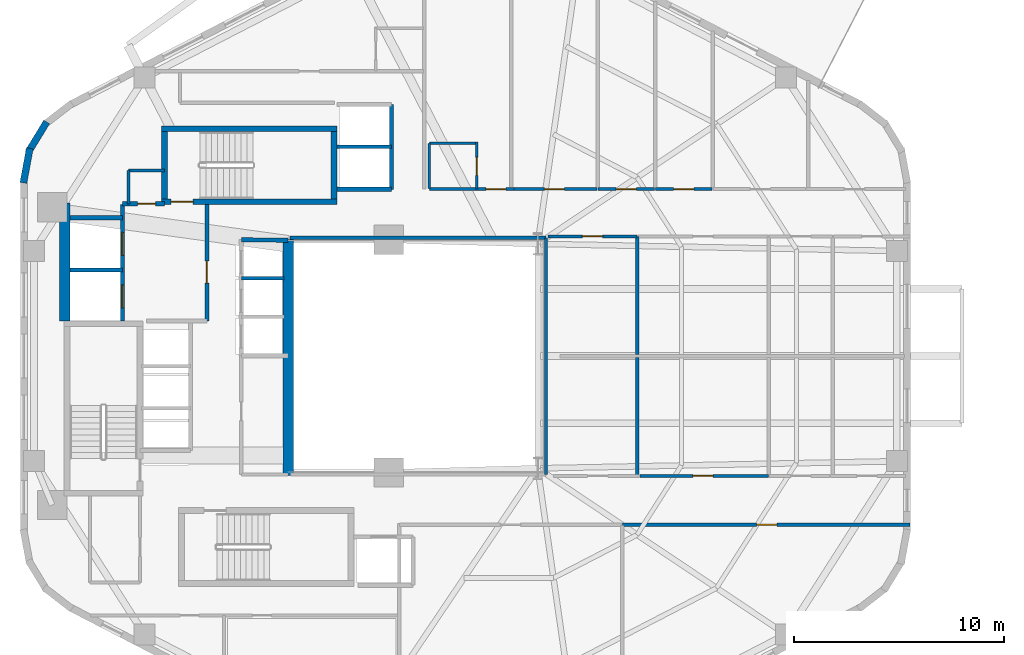
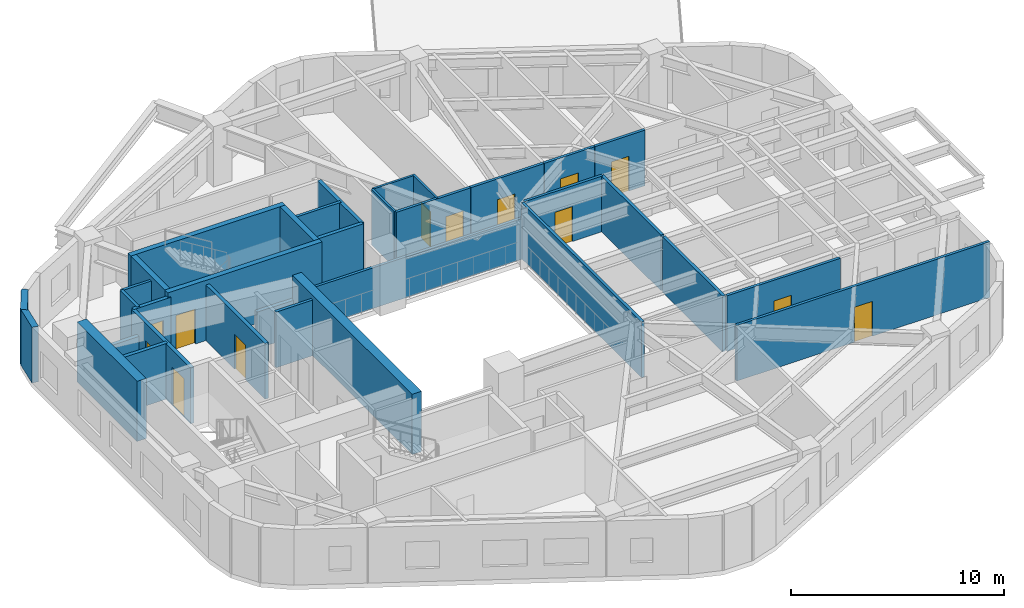
# One storey, part 4 of 8: 34 walls, 13 doors, 13 openings.
"""IFC4 building model written with IfcOpenShell, lengths in metres."""

from ifc_helpers import new_model, si_unit, direction, frame, frame_2d, origin, place, context, subcontext, project, spatial, rectangle, extrude, material, layer, layer_set, type_object, element, fill, save


model = new_model("IFC4")

# Units and contexts
model_context = context("Model", 3, precision=1e-05, world=origin(), true_north=direction((0.0, 1.0)))
body_context = subcontext(model_context, "Body", "Model", "MODEL_VIEW")
ifc_project = project(units=[si_unit("LENGTHUNIT", "METRE"), si_unit("AREAUNIT", "SQUARE_METRE"), si_unit("VOLUMEUNIT", "CUBIC_METRE"), si_unit("PLANEANGLEUNIT", "RADIAN"), si_unit("MASSUNIT", "GRAM", prefix="KILO"), si_unit("THERMODYNAMICTEMPERATUREUNIT", "KELVIN"), si_unit("POWERUNIT", "WATT")], contexts=[model_context])

# Site, building, storey
site_placement = place(None, origin())
site = spatial("IfcSite", under=ifc_project, at=site_placement, CompositionType="ELEMENT")
building_placement = place(site_placement, origin())
building = spatial("IfcBuilding", under=site, at=building_placement, Name="Skarre Station Tower", CompositionType="ELEMENT")
storey_placement = place(building_placement, frame((0.0, 0.0, 122.25)))
storey = spatial("IfcBuildingStorey", under=building, at=storey_placement, Name="L32", CompositionType="ELEMENT", Elevation=122.25)

# Walls
ifc_material_1 = material(Name="Acoustic Steel-Stud Gypsum Partition", Category="steel")
ifc_layer_1 = layer(ifc_material_1, 0.14990234375, Name="Acoustic Steel-Stud Gypsum Partition")
ifc_layer_set_1 = layer_set([ifc_layer_1], Name="Acoustic Steel-Stud Gypsum Partition")
wall_type_1 = type_object("IfcWallType", Name="Fire-Rated Corridor Acoustic Partition 150", PredefinedType="PARTITIONING", material=ifc_layer_set_1)
wall_1_placement = place(storey_placement, frame((19.949951171875, 32.85009765625, 0.0), z_axis=(0.0, 0.0, 1.0), x_axis=(0.0, -1.0, 0.0)))
element("IfcWall", 1, at=wall_1_placement, inside=storey, type_object=wall_type_1, Name="L32 Interior Partition WL-PT-L32-CNW-W", PredefinedType="PARTITIONING", context=body_context, shape_type="SweptSolid", body=[
    extrude(rectangle(XDim=1.590087890625, YDim=0.14990234375, at=frame_2d((0.794921875, 0.0))), origin(), (0.0, 0.0, 1.0), 3.18994140625),
])
wall_2_placement = place(storey_placement, frame((21.659912109375, 32.85009765625, 0.0), z_axis=(0.0, 0.0, 1.0), x_axis=(-1.0, 0.0, 0.0)))
element("IfcWall", 2, at=wall_2_placement, inside=storey, type_object=wall_type_1, Name="L32 Interior Partition WL-PT-L32-CNW-N1", PredefinedType="PARTITIONING", context=body_context, shape_type="SweptSolid", body=[
    extrude(rectangle(XDim=1.7099609375, YDim=0.14990234375, at=frame_2d((0.85498046875, 0.0))), origin(), (0.0, 0.0, 1.0), 3.18994140625),
])
wall_3_placement = place(storey_placement, frame((39.840087890625, 29.639892578125, 0.0), z_axis=(0.0, 0.0, 1.0), x_axis=(-1.0, 0.0, 0.0)))
element("IfcWall", 3, at=wall_3_placement, inside=storey, type_object=wall_type_1, Name="L32 Interior Partition WL-PT-L32-ATRW-N", PredefinedType="PARTITIONING", context=body_context, shape_type="SweptSolid", body=[
    extrude(rectangle(XDim=12.2001953125, YDim=0.14990234375, at=frame_2d((6.10009765625, 0.0))), origin(), (0.0, 0.0, 1.0), 2.3310546875),
])
wall_4_placement = place(storey_placement, frame((39.840087890625, 18.360107421875, 0.0), z_axis=(0.0, 0.0, 1.0), x_axis=(0.0, 1.0, 0.0)))
element("IfcWall", 4, at=wall_4_placement, inside=storey, type_object=wall_type_1, Name="L32 Interior Partition WL-PT-L32-ATRW-E", PredefinedType="PARTITIONING", context=body_context, shape_type="SweptSolid", body=[
    extrude(rectangle(XDim=11.27978515625, YDim=0.14990234375, at=frame_2d((5.639892578125, 0.0))), origin(), (0.0, 0.0, 1.0), 3.18994140625),
])

# Wall, opening, door
wall_5_placement = place(storey_placement, frame((38.31103515625, 31.9599609375, 0.0), z_axis=(0.0, 0.0, 1.0), x_axis=(-1.0, 0.0, 0.0)))
wall_5 = element("IfcWall", 5, at=wall_5_placement, inside=storey, type_object=wall_type_1, Name="L32 Interior Partition WL-PT-L32-NW1-CW", PredefinedType="PARTITIONING", context=body_context, shape_type="SweptSolid", body=[
    extrude(rectangle(XDim=4.02099609375, YDim=0.14990234375, at=frame_2d((2.010498046875, 0.0))), origin(), (0.0, 0.0, 1.0), 3.18994140625),
])
opening_1_placement = place(wall_5_placement, frame((0.3740234375, 0.0, 0.0)))
opening_1 = element("IfcOpeningElement", 6, at=opening_1_placement, cuts=wall_5, Name="Opening DR-FD60", PredefinedType="OPENING", context=body_context, shape_type="SweptSolid", body=[
    extrude(rectangle(XDim=0.9599609375, YDim=2.0, at=frame_2d((0.47998046875, 1.0))), frame((0.0, 0.0849609375, 0.0), z_axis=(0.0, -1.0, 0.0), x_axis=(1.0, 0.0, 0.0)), (0.0, 0.0, 1.0), 0.169921875),
])
ifc_material_2 = material(Name="Nordic White-Oak Veneer Solid-Core Fire Leaf", Category="wood")
door_type_1 = type_object("IfcDoorType", Name="Corridor Suite Entry Fire Door FD60 960x2150", OperationType="SINGLE_SWING_LEFT", PredefinedType="DOOR", material=ifc_material_2)
door_1_placement = place(opening_1_placement, origin())
door_1 = element("IfcDoor", 7, at=door_1_placement, inside=storey, type_object=door_type_1, Name="L32 NW1 Entry Door", OperationType="SINGLE_SWING_LEFT", OverallHeight=2.0, OverallWidth=0.9599609375, PredefinedType="DOOR", context=body_context, shape_type="SweptSolid", body=[
    extrude(rectangle(XDim=0.9599609375, YDim=2.0, at=frame_2d((0.47998046875, 1.0))), frame((0.0, 0.02490234375, 0.0), z_axis=(0.0, -1.0, 0.0), x_axis=(1.0, 0.0, 0.0)), (0.0, 0.0, 1.0), 0.050048828125),
])
fill(opening_1, door_1)

wall_6_placement = place(storey_placement, frame((42.285888671875, 31.9599609375, 0.0), z_axis=(0.0, 0.0, 1.0), x_axis=(-1.0, 0.0, 0.0)))
wall_6 = element("IfcWall", 8, at=wall_6_placement, inside=storey, type_object=wall_type_1, Name="L32 Interior Partition WL-PT-L32-NW2-CW", PredefinedType="PARTITIONING", context=body_context, shape_type="SweptSolid", body=[
    extrude(rectangle(XDim=3.96484375, YDim=0.14990234375, at=frame_2d((1.982421875, 0.0))), origin(), (0.0, 0.0, 1.0), 3.18994140625),
])
opening_2_placement = place(wall_6_placement, frame((1.56005859375, 0.0, 0.0)))
opening_2 = element("IfcOpeningElement", 9, at=opening_2_placement, cuts=wall_6, Name="Opening DR-FD60", PredefinedType="OPENING", context=body_context, shape_type="SweptSolid", body=[
    extrude(rectangle(XDim=0.9599609375, YDim=2.0, at=frame_2d((0.47998046875, 1.0))), frame((0.0, 0.0849609375, 0.0), z_axis=(0.0, -1.0, 0.0), x_axis=(1.0, 0.0, 0.0)), (0.0, 0.0, 1.0), 0.169921875),
])
door_2_placement = place(opening_2_placement, origin())
door_2 = element("IfcDoor", 10, at=door_2_placement, inside=storey, type_object=door_type_1, Name="L32 NW2 Entry Door", OperationType="SINGLE_SWING_LEFT", OverallHeight=2.0, OverallWidth=0.9599609375, PredefinedType="DOOR", context=body_context, shape_type="SweptSolid", body=[
    extrude(rectangle(XDim=0.9599609375, YDim=2.0, at=frame_2d((0.47998046875, 1.0))), frame((0.0, 0.02490234375, 0.0), z_axis=(0.0, -1.0, 0.0), x_axis=(1.0, 0.0, 0.0)), (0.0, 0.0, 1.0), 0.050048828125),
])
fill(opening_2, door_2)

wall_7_placement = place(storey_placement, frame((45.02587890625, 31.9599609375, 0.0), z_axis=(0.0, 0.0, 1.0), x_axis=(-1.0, 0.0, 0.0)))
wall_7 = element("IfcWall", 11, at=wall_7_placement, inside=storey, type_object=wall_type_1, Name="L32 Interior Partition WL-PT-L32-NW3-CW", PredefinedType="PARTITIONING", context=body_context, shape_type="SweptSolid", body=[
    extrude(rectangle(XDim=2.707763671875, YDim=0.14990234375, at=frame_2d((1.35400390625, 0.0))), origin(), (0.0, 0.0, 1.0), 3.18994140625),
])
opening_3_placement = place(wall_7_placement, frame((0.8740234375, 0.0, 0.0)))
opening_3 = element("IfcOpeningElement", 12, at=opening_3_placement, cuts=wall_7, Name="Opening DR-FD60", PredefinedType="OPENING", context=body_context, shape_type="SweptSolid", body=[
    extrude(rectangle(XDim=0.9599609375, YDim=2.0, at=frame_2d((0.47998046875, 1.0))), frame((0.0, 0.0849609375, 0.0), z_axis=(0.0, -1.0, 0.0), x_axis=(1.0, 0.0, 0.0)), (0.0, 0.0, 1.0), 0.169921875),
])
door_3_placement = place(opening_3_placement, origin())
door_3 = element("IfcDoor", 13, at=door_3_placement, inside=storey, type_object=door_type_1, Name="L32 NW3 Entry Door", OperationType="SINGLE_SWING_LEFT", OverallHeight=2.0, OverallWidth=0.9599609375, PredefinedType="DOOR", context=body_context, shape_type="SweptSolid", body=[
    extrude(rectangle(XDim=0.9599609375, YDim=2.0, at=frame_2d((0.47998046875, 1.0))), frame((0.0, 0.02490234375, 0.0), z_axis=(0.0, -1.0, 0.0), x_axis=(1.0, 0.0, 0.0)), (0.0, 0.0, 1.0), 0.050048828125),
])
fill(opening_3, door_3)

wall_8_placement = place(storey_placement, frame((47.76708984375, 31.9599609375, 0.0), z_axis=(0.0, 0.0, 1.0), x_axis=(-1.0, 0.0, 0.0)))
wall_8 = element("IfcWall", 14, at=wall_8_placement, inside=storey, type_object=wall_type_1, Name="L32 Interior Partition WL-PT-L32-NW4-CW", PredefinedType="PARTITIONING", context=body_context, shape_type="SweptSolid", body=[
    extrude(rectangle(XDim=2.708984375, YDim=0.14990234375, at=frame_2d((1.3544921875, 0.0))), origin(), (0.0, 0.0, 1.0), 3.18994140625),
])
opening_4_placement = place(wall_8_placement, frame((0.875, 0.0, 0.0)))
opening_4 = element("IfcOpeningElement", 15, at=opening_4_placement, cuts=wall_8, Name="Opening DR-FD60", PredefinedType="OPENING", context=body_context, shape_type="SweptSolid", body=[
    extrude(rectangle(XDim=0.9599609375, YDim=2.0, at=frame_2d((0.47998046875, 1.0))), frame((0.0, 0.0849609375, 0.0), z_axis=(0.0, -1.0, 0.0), x_axis=(1.0, 0.0, 0.0)), (0.0, 0.0, 1.0), 0.169921875),
])
door_4_placement = place(opening_4_placement, origin())
door_4 = element("IfcDoor", 16, at=door_4_placement, inside=storey, type_object=door_type_1, Name="L32 NW4 Entry Door", OperationType="SINGLE_SWING_LEFT", OverallHeight=2.0, OverallWidth=0.9599609375, PredefinedType="DOOR", context=body_context, shape_type="SweptSolid", body=[
    extrude(rectangle(XDim=0.9599609375, YDim=2.0, at=frame_2d((0.47998046875, 1.0))), frame((0.0, 0.02490234375, 0.0), z_axis=(0.0, -1.0, 0.0), x_axis=(1.0, 0.0, 0.0)), (0.0, 0.0, 1.0), 0.050048828125),
])
fill(opening_4, door_4)

wall_9_placement = place(storey_placement, frame((39.949951171875, 29.7099609375, 0.0), z_axis=(0.0, 0.0, 1.0), x_axis=(1.0, 0.0, 0.0)))
wall_9 = element("IfcWall", 17, at=wall_9_placement, inside=storey, type_object=wall_type_1, Name="L32 Interior Partition WL-PT-L32-EWN1-CW", PredefinedType="PARTITIONING", context=body_context, shape_type="SweptSolid", body=[
    extrude(rectangle(XDim=4.22705078125, YDim=0.14990234375, at=frame_2d((2.113525390625, 0.0))), origin(), (0.0, 0.0, 1.0), 3.18994140625),
])
opening_5_placement = place(wall_9_placement, frame((1.633056640625, 0.0, 0.0)))
opening_5 = element("IfcOpeningElement", 18, at=opening_5_placement, cuts=wall_9, Name="Opening DR-FD60", PredefinedType="OPENING", context=body_context, shape_type="SweptSolid", body=[
    extrude(rectangle(XDim=0.9599609375, YDim=2.0, at=frame_2d((0.47998046875, 1.0))), frame((0.0, 0.0849609375, 0.0), z_axis=(0.0, -1.0, 0.0), x_axis=(1.0, 0.0, 0.0)), (0.0, 0.0, 1.0), 0.169921875),
])
door_5_placement = place(opening_5_placement, origin())
door_5 = element("IfcDoor", 19, at=door_5_placement, inside=storey, type_object=door_type_1, Name="L32 EWN1 Entry Door", OperationType="SINGLE_SWING_LEFT", OverallHeight=2.0, OverallWidth=0.9599609375, PredefinedType="DOOR", context=body_context, shape_type="SweptSolid", body=[
    extrude(rectangle(XDim=0.9599609375, YDim=2.0, at=frame_2d((0.47998046875, 1.0))), frame((0.0, 0.02490234375, 0.0), z_axis=(0.0, -1.0, 0.0), x_axis=(1.0, 0.0, 0.0)), (0.0, 0.0, 1.0), 0.050048828125),
])
fill(opening_5, door_5)

wall_10_placement = place(storey_placement, frame((50.455078125, 18.2900390625, 0.0), z_axis=(0.0, 0.0, 1.0), x_axis=(-1.0, 0.0, 0.0)))
wall_10 = element("IfcWall", 20, at=wall_10_placement, inside=storey, type_object=wall_type_1, Name="L32 Interior Partition WL-PT-L32-EWS2-CW", PredefinedType="PARTITIONING", context=body_context, shape_type="SweptSolid", body=[
    extrude(rectangle(XDim=6.133056640625, YDim=0.14990234375, at=frame_2d((3.06640625, 0.0))), origin(), (0.0, 0.0, 1.0), 3.18994140625),
])
opening_6_placement = place(wall_10_placement, frame((2.64404296875, 0.0, 0.0)))
opening_6 = element("IfcOpeningElement", 21, at=opening_6_placement, cuts=wall_10, Name="Opening DR-FD60", PredefinedType="OPENING", context=body_context, shape_type="SweptSolid", body=[
    extrude(rectangle(XDim=0.9599609375, YDim=2.0, at=frame_2d((0.47998046875, 1.0))), frame((0.0, 0.0849609375, 0.0), z_axis=(0.0, -1.0, 0.0), x_axis=(1.0, 0.0, 0.0)), (0.0, 0.0, 1.0), 0.169921875),
])
door_6_placement = place(opening_6_placement, origin())
door_6 = element("IfcDoor", 22, at=door_6_placement, inside=storey, type_object=door_type_1, Name="L32 EWS2 Entry Door", OperationType="SINGLE_SWING_LEFT", OverallHeight=2.0, OverallWidth=0.9599609375, PredefinedType="DOOR", context=body_context, shape_type="SweptSolid", body=[
    extrude(rectangle(XDim=0.9599609375, YDim=2.0, at=frame_2d((0.47998046875, 1.0))), frame((0.0, 0.02490234375, 0.0), z_axis=(0.0, -1.0, 0.0), x_axis=(1.0, 0.0, 0.0)), (0.0, 0.0, 1.0), 0.050048828125),
])
fill(opening_6, door_6)

wall_11_placement = place(storey_placement, frame((43.4970703125, 15.9599609375, 0.0), z_axis=(0.0, 0.0, 1.0), x_axis=(1.0, 0.0, 0.0)))
wall_11 = element("IfcWall", 23, at=wall_11_placement, inside=storey, type_object=wall_type_1, Name="L32 Interior Partition WL-PT-L32-SW2-CW", PredefinedType="PARTITIONING", context=body_context, shape_type="SweptSolid", body=[
    extrude(rectangle(XDim=13.7109375, YDim=0.14990234375, at=frame_2d((6.85546875, 0.0))), origin(), (0.0, 0.0, 1.0), 3.18994140625),
])
opening_7_placement = place(wall_11_placement, frame((6.388916015625, 0.0, 0.0)))
opening_7 = element("IfcOpeningElement", 24, at=opening_7_placement, cuts=wall_11, Name="Opening DR-FD60", PredefinedType="OPENING", context=body_context, shape_type="SweptSolid", body=[
    extrude(rectangle(XDim=0.9599609375, YDim=2.0, at=frame_2d((0.47998046875, 1.0))), frame((0.0, 0.0849609375, 0.0), z_axis=(0.0, -1.0, 0.0), x_axis=(1.0, 0.0, 0.0)), (0.0, 0.0, 1.0), 0.169921875),
])
door_7_placement = place(opening_7_placement, origin())
door_7 = element("IfcDoor", 25, at=door_7_placement, inside=storey, type_object=door_type_1, Name="L32 SW2 Entry Door", OperationType="SINGLE_SWING_LEFT", OverallHeight=2.0, OverallWidth=0.9599609375, PredefinedType="DOOR", context=body_context, shape_type="SweptSolid", body=[
    extrude(rectangle(XDim=0.9599609375, YDim=2.0, at=frame_2d((0.47998046875, 1.0))), frame((0.0, 0.02490234375, 0.0), z_axis=(0.0, -1.0, 0.0), x_axis=(1.0, 0.0, 0.0)), (0.0, 0.0, 1.0), 0.050048828125),
])
fill(opening_7, door_7)

ifc_material_3 = material(Name="Insulated Timber-Stud Gypsum Partition", Category="wood")
ifc_layer_2 = layer(ifc_material_3, 0.1201171875, Name="Insulated Timber-Stud Gypsum Partition")
ifc_layer_set_2 = layer_set([ifc_layer_2], Name="Insulated Timber-Stud Gypsum Partition")
wall_type_2 = type_object("IfcWallType", Name="Internal Suite Acoustic Partition 120", PredefinedType="PARTITIONING", material=ifc_layer_set_2)
wall_12_placement = place(storey_placement, frame((36.550048828125, 31.9599609375, 0.0), z_axis=(0.0, 0.0, 1.0), x_axis=(0.0, 1.0, 0.0)))
wall_12 = element("IfcWall", 26, at=wall_12_placement, inside=storey, type_object=wall_type_2, Name="L32 Interior Partition WL-PT-L32-NW1-EW2", PredefinedType="PARTITIONING", context=body_context, shape_type="SweptSolid", body=[
    extrude(rectangle(XDim=2.239990234375, YDim=0.1201171875, at=frame_2d((1.1201171875, 0.0))), origin(), (0.0, 0.0, 1.0), 3.18994140625),
])
opening_8_placement = place(wall_12_placement, frame((0.64990234375, 0.0, 0.0)))
opening_8 = element("IfcOpeningElement", 27, at=opening_8_placement, cuts=wall_12, Name="Opening DR-INT86", PredefinedType="OPENING", context=body_context, shape_type="SweptSolid", body=[
    extrude(rectangle(XDim=0.860107421875, YDim=2.0, at=frame_2d((0.43017578125, 1.0))), frame((0.0, 0.070068359375, 0.0), z_axis=(0.0, -1.0, 0.0), x_axis=(1.0, 0.0, 0.0)), (0.0, 0.0, 1.0), 0.14013671875),
])
ifc_material_4 = material(Name="Nordic Birch Acoustic Solid-Core Timber Leaf", Category="wood")
door_type_2 = type_object("IfcDoorType", Name="Internal En-Suite & Bedroom Door 860x2100", OperationType="SINGLE_SWING_LEFT", PredefinedType="DOOR", material=ifc_material_4)
door_8_placement = place(opening_8_placement, origin())
door_8 = element("IfcDoor", 28, at=door_8_placement, inside=storey, type_object=door_type_2, Name="L32 NW1 En-suite Door", OperationType="SINGLE_SWING_LEFT", OverallHeight=2.0, OverallWidth=0.860107421875, PredefinedType="DOOR", context=body_context, shape_type="SweptSolid", body=[
    extrude(rectangle(XDim=0.860107421875, YDim=2.0, at=frame_2d((0.43017578125, 1.0))), frame((0.0, 0.02490234375, 0.0), z_axis=(0.0, -1.0, 0.0), x_axis=(1.0, 0.0, 0.0)), (0.0, 0.0, 1.0), 0.050048828125),
])
fill(opening_8, door_8)

# Walls
wall_13_placement = place(storey_placement, frame((36.610107421875, 34.139892578125, 0.0), z_axis=(0.0, 0.0, 1.0), x_axis=(-1.0, 0.0, 0.0)))
element("IfcWall", 29, at=wall_13_placement, inside=storey, type_object=wall_type_2, Name="L32 Interior Partition WL-PT-L32-NW1-EW3", PredefinedType="PARTITIONING", context=body_context, shape_type="SweptSolid", body=[
    extrude(rectangle(XDim=2.320068359375, YDim=0.1201171875, at=frame_2d((1.16015625, 0.0))), origin(), (0.0, 0.0, 1.0), 3.18994140625),
])
wall_14_placement = place(storey_placement, frame((34.2900390625, 34.139892578125, 0.0), z_axis=(0.0, 0.0, 1.0), x_axis=(0.0, -1.0, 0.0)))
element("IfcWall", 30, at=wall_14_placement, inside=storey, type_object=wall_type_2, Name="L32 Interior Partition WL-PT-L32-NW1-EW4", PredefinedType="PARTITIONING", context=body_context, shape_type="SweptSolid", body=[
    extrude(rectangle(XDim=2.139892578125, YDim=0.1201171875, at=frame_2d((1.06982421875, 0.0))), origin(), (0.0, 0.0, 1.0), 3.18994140625),
])
ifc_material_5 = material(Name="Precast concrete C45/55", Category="concrete")
ifc_layer_3 = layer(ifc_material_5, 0.330078125, Name="Precast concrete C45/55")
ifc_layer_set_3 = layer_set([ifc_layer_3], Name="Precast concrete C45/55")
wall_type_3 = type_object("IfcWallType", Name="Nordic Rounded Corner Precast Wall 330", PredefinedType="STANDARD", material=ifc_layer_set_3)
wall_15_placement = place(storey_placement, frame((14.931884765625, 32.258056640625, 0.0), z_axis=(0.0, 0.0, 1.0), x_axis=(0.181984991895, 0.983301308209, 0.0)))
element("IfcWall", 31, at=wall_15_placement, inside=storey, type_object=wall_type_3, Name="L32 Rounded Corner Precast Wall F2-1", PredefinedType="STANDARD", context=body_context, shape_type="SweptSolid", body=[
    extrude(rectangle(XDim=1.677001953125, YDim=0.330078125, at=frame_2d((0.83837890625, 0.0))), origin(), (0.0, 0.0, 1.0), 3.18994140625),
])
wall_16_placement = place(storey_placement, frame((15.169921875, 33.73193359375, 0.0), z_axis=(0.0, 0.0, 1.0), x_axis=(0.520519429557, 0.853849824883, 0.0)))
element("IfcWall", 32, at=wall_16_placement, inside=storey, type_object=wall_type_3, Name="L32 Rounded Corner Precast Wall F2-2", PredefinedType="STANDARD", context=body_context, shape_type="SweptSolid", body=[
    extrude(rectangle(XDim=1.67724609375, YDim=0.330078125, at=frame_2d((0.838623046875, 0.0))), origin(), (0.0, 0.0, 1.0), 3.18994140625),
])

# Wall, opening, door
ifc_material_6 = material(Name="Concrete C50/60", Category="concrete")
ifc_layer_4 = layer(ifc_material_6, 0.280029296875, Name="Concrete C50/60")
ifc_layer_set_4 = layer_set([ifc_layer_4], Name="Concrete C50/60")
wall_type_4 = type_object("IfcWallType", Name="RC Core Shear Wall 280", PredefinedType="SHEAR", material=ifc_layer_set_4)
wall_17_placement = place(storey_placement, frame((21.52001953125, 31.360107421875, 0.0), z_axis=(0.0, 0.0, 1.0), x_axis=(1.0, 0.0, 0.0)))
wall_17 = element("IfcWall", 33, at=wall_17_placement, inside=storey, type_object=wall_type_4, Name="L32 Stair ST-3 South Shear Wall", PredefinedType="SHEAR", context=body_context, shape_type="SweptSolid", body=[
    extrude(rectangle(XDim=8.35986328125, YDim=0.280029296875, at=frame_2d((4.179931640625, 0.0))), origin(), (0.0, 0.0, 1.0), 3.449951171875),
])
opening_9_placement = place(wall_17_placement, frame((0.449951171875, 0.0, 0.0)))
opening_9 = element("IfcOpeningElement", 34, at=opening_9_placement, cuts=wall_17, Name="Opening DR-FD90", PredefinedType="OPENING", context=body_context, shape_type="SweptSolid", body=[
    extrude(rectangle(XDim=1.050048828125, YDim=2.0, at=frame_2d((0.52490234375, 1.0))), frame((0.0, 0.14990234375, 0.0), z_axis=(0.0, -1.0, 0.0), x_axis=(1.0, 0.0, 0.0)), (0.0, 0.0, 1.0), 0.300048828125),
])
ifc_material_7 = material(Name="Fire-Rated Insulated Steel Frame & Timber Core Leaf", Category="steel")
door_type_3 = type_object("IfcDoorType", Name="Stair & FSAE Lobby Fire Door FD90 1050x2150", OperationType="SINGLE_SWING_RIGHT", PredefinedType="DOOR", material=ifc_material_7)
door_9_placement = place(opening_9_placement, origin())
door_9 = element("IfcDoor", 35, at=door_9_placement, inside=storey, type_object=door_type_3, Name="L32 Stair ST-3 & FSAE Lobby Direct Exit Door", OperationType="SINGLE_SWING_LEFT", OverallHeight=2.0, OverallWidth=1.050048828125, PredefinedType="DOOR", context=body_context, shape_type="SweptSolid", body=[
    extrude(rectangle(XDim=1.050048828125, YDim=2.0, at=frame_2d((0.52490234375, 1.0))), frame((0.0, 0.02490234375, 0.0), z_axis=(0.0, -1.0, 0.0), x_axis=(1.0, 0.0, 0.0)), (0.0, 0.0, 1.0), 0.050048828125),
])
fill(opening_9, door_9)

# Walls
wall_18_placement = place(storey_placement, frame((29.8798828125, 34.840087890625, 0.0), z_axis=(0.0, 0.0, 1.0), x_axis=(-1.0, 0.0, 0.0)))
element("IfcWall", 36, at=wall_18_placement, inside=storey, type_object=wall_type_4, Name="L32 Stair ST-3 North Shear Wall", PredefinedType="SHEAR", context=body_context, shape_type="SweptSolid", body=[
    extrude(rectangle(XDim=8.35986328125, YDim=0.280029296875, at=frame_2d((4.179931640625, 0.0))), origin(), (0.0, 0.0, 1.0), 3.449951171875),
])
for number, where, z_axis, x_axis, name in (
    (37, (21.659912109375, 34.699951171875, 0.0), (0.0, 0.0, 1.0), (0.0, -1.0, 0.0), "L32 Stair ST-3 West Shear Wall"),
    (38, (29.739990234375, 31.5, 0.0), (0.0, 0.0, 1.0), (0.0, 1.0, 0.0), "L32 Stair ST-3 East Shear Wall"),
):
    element("IfcWall", number, at=place(storey_placement, frame(where, z_axis=z_axis, x_axis=x_axis)), inside=storey, type_object=wall_type_4, Name=name, PredefinedType="SHEAR", context=body_context, shape_type="SweptSolid", body=[
        extrude(rectangle(XDim=3.199951171875, YDim=0.280029296875, at=frame_2d((1.60009765625, 0.0))), origin(), (0.0, 0.0, 1.0), 3.449951171875),
    ])
ifc_material_8 = material(Name="Concrete C70/85", Category="concrete")
ifc_layer_5 = layer(ifc_material_8, 0.5, Name="Concrete C70/85")
ifc_layer_set_5 = layer_set([ifc_layer_5], Name="Concrete C70/85")
wall_type_5 = type_object("IfcWallType", Name="RC Core Shear Wall 500", PredefinedType="SHEAR", material=ifc_layer_set_5)
wall_19_placement = place(storey_placement, frame((16.89990234375, 25.679931640625, 0.0), z_axis=(0.0, 0.0, 1.0), x_axis=(0.0, 1.0, 0.0)))
element("IfcWall", 39, at=wall_19_placement, inside=storey, type_object=wall_type_5, Name="L32 Core West-North Shear Wall", PredefinedType="SHEAR", context=body_context, shape_type="SweptSolid", body=[
    extrude(rectangle(XDim=5.6201171875, YDim=0.5, at=frame_2d((2.81005859375, 0.0))), origin(), (0.0, 0.0, 1.0), 3.449951171875),
])
wall_20_placement = place(storey_placement, frame((27.550048828125, 29.550048828125, 0.0), z_axis=(0.0, 0.0, 1.0), x_axis=(0.0, -1.0, 0.0)))
element("IfcWall", 40, at=wall_20_placement, inside=storey, type_object=wall_type_5, Name="L32 Core East Atrium Shear Wall", PredefinedType="SHEAR", context=body_context, shape_type="SweptSolid", body=[
    extrude(rectangle(XDim=11.25, YDim=0.5, at=frame_2d((5.625, 0.0))), origin(), (0.0, 0.0, 1.0), 3.449951171875),
])

# Wall, openings, doors
ifc_material_9 = material(Name="Gypsum Concrete Shaft Assembly C30/37", Category="concrete")
ifc_layer_6 = layer(ifc_material_9, 0.199951171875, Name="Gypsum Concrete Shaft Assembly C30/37")
ifc_layer_set_6 = layer_set([ifc_layer_6], Name="Gypsum Concrete Shaft Assembly C30/37")
wall_type_6 = type_object("IfcWallType", Name="Shaft & Core Fire Partition 200", PredefinedType="PARTITIONING", material=ifc_layer_set_6)
wall_21_placement = place(storey_placement, frame((19.64990234375, 25.679931640625, 0.0), z_axis=(0.0, 0.0, 1.0), x_axis=(0.0, 1.0, 0.0)))
wall_21 = element("IfcWall", 41, at=wall_21_placement, inside=storey, type_object=wall_type_6, Name="L32 Interior Partition WL-PT-L32-FSAE-W", PredefinedType="PARTITIONING", context=body_context, shape_type="SweptSolid", body=[
    extrude(rectangle(XDim=5.5400390625, YDim=0.199951171875, at=frame_2d((2.77001953125, 0.0))), origin(), (0.0, 0.0, 1.0), 3.18994140625),
])
opening_10_placement = place(wall_21_placement, frame((0.6201171875, 0.0, 0.0)))
opening_10 = element("IfcOpeningElement", 42, at=opening_10_placement, cuts=wall_21, Name="Opening LD-FF1", PredefinedType="OPENING", context=body_context, shape_type="SweptSolid", body=[
    extrude(rectangle(XDim=1.10009765625, YDim=2.199951171875, at=frame_2d((0.550048828125, 1.10009765625))), frame((0.0, 0.10986328125, 0.0), z_axis=(0.0, -1.0, 0.0), x_axis=(1.0, 0.0, 0.0)), (0.0, 0.0, 1.0), 0.219970703125),
])
opening_11_placement = place(wall_21_placement, frame((3.1201171875, 0.0, 0.0)))
opening_11 = element("IfcOpeningElement", 43, at=opening_11_placement, cuts=wall_21, Name="Opening LD-FF2", PredefinedType="OPENING", context=body_context, shape_type="SweptSolid", body=[
    extrude(rectangle(XDim=1.10009765625, YDim=2.199951171875, at=frame_2d((0.550048828125, 1.10009765625))), frame((0.0, 0.10986328125, 0.0), z_axis=(0.0, -1.0, 0.0), x_axis=(1.0, 0.0, 0.0)), (0.0, 0.0, 1.0), 0.219970703125),
])
ifc_material_10 = material(Name="Fire-Rated Stainless Steel Grade 316L Sliding Leaves", Category="steel")
door_type_4 = type_object("IfcDoorType", Name="Fire Service Access Elevator Sliding Landing Door 1100x2200", OperationType="SLIDING_TO_LEFT", PredefinedType="DOOR", material=ifc_material_10)
door_10_placement = place(opening_10_placement, origin())
door_10 = element("IfcDoor", 44, at=door_10_placement, inside=storey, type_object=door_type_4, Name="L32 Firefighting Lift LF-FF1 Landing Door", OperationType="SLIDING_TO_LEFT", OverallHeight=2.199951171875, OverallWidth=1.10009765625, PredefinedType="DOOR", context=body_context, shape_type="SweptSolid", body=[
    extrude(rectangle(XDim=1.10009765625, YDim=2.199951171875, at=frame_2d((0.550048828125, 1.10009765625))), frame((0.0, 0.02490234375, 0.0), z_axis=(0.0, -1.0, 0.0), x_axis=(1.0, 0.0, 0.0)), (0.0, 0.0, 1.0), 0.050048828125),
])
fill(opening_10, door_10)
door_11_placement = place(opening_11_placement, origin())
door_11 = element("IfcDoor", 45, at=door_11_placement, inside=storey, type_object=door_type_4, Name="L32 Firefighting Lift LF-FF2 Landing Door", OperationType="SLIDING_TO_LEFT", OverallHeight=2.199951171875, OverallWidth=1.10009765625, PredefinedType="DOOR", context=body_context, shape_type="SweptSolid", body=[
    extrude(rectangle(XDim=1.10009765625, YDim=2.199951171875, at=frame_2d((0.550048828125, 1.10009765625))), frame((0.0, 0.02490234375, 0.0), z_axis=(0.0, -1.0, 0.0), x_axis=(1.0, 0.0, 0.0)), (0.0, 0.0, 1.0), 0.050048828125),
])
fill(opening_11, door_11)

# Wall, opening, door
wall_22_placement = place(storey_placement, frame((23.679931640625, 25.679931640625, 0.0), z_axis=(0.0, 0.0, 1.0), x_axis=(0.0, 1.0, 0.0)))
wall_22 = element("IfcWall", 46, at=wall_22_placement, inside=storey, type_object=wall_type_6, Name="L32 Interior Partition WL-PT-L32-FSAE-E", PredefinedType="PARTITIONING", context=body_context, shape_type="SweptSolid", body=[
    extrude(rectangle(XDim=5.5400390625, YDim=0.199951171875, at=frame_2d((2.77001953125, 0.0))), origin(), (0.0, 0.0, 1.0), 3.18994140625),
])
opening_12_placement = place(wall_22_placement, frame((1.800048828125, 0.0, 0.0)))
opening_12 = element("IfcOpeningElement", 47, at=opening_12_placement, cuts=wall_22, Name="Opening DR-FD90", PredefinedType="OPENING", context=body_context, shape_type="SweptSolid", body=[
    extrude(rectangle(XDim=1.050048828125, YDim=2.0, at=frame_2d((0.52490234375, 1.0))), frame((0.0, 0.10986328125, 0.0), z_axis=(0.0, -1.0, 0.0), x_axis=(1.0, 0.0, 0.0)), (0.0, 0.0, 1.0), 0.219970703125),
])
door_12_placement = place(opening_12_placement, origin())
door_12 = element("IfcDoor", 48, at=door_12_placement, inside=storey, type_object=door_type_3, Name="L32 FSAE Lobby Fire Door", OperationType="SINGLE_SWING_RIGHT", OverallHeight=2.0, OverallWidth=1.050048828125, PredefinedType="DOOR", context=body_context, shape_type="SweptSolid", body=[
    extrude(rectangle(XDim=1.050048828125, YDim=2.0, at=frame_2d((0.52490234375, 1.0))), frame((0.0, 0.02490234375, 0.0), z_axis=(0.0, -1.0, 0.0), x_axis=(1.0, 0.0, 0.0)), (0.0, 0.0, 1.0), 0.050048828125),
])
fill(opening_12, door_12)

wall_23_placement = place(storey_placement, frame((21.659912109375, 31.260009765625, 0.0), z_axis=(0.0, 0.0, 1.0), x_axis=(-1.0, 0.0, 0.0)))
wall_23 = element("IfcWall", 49, at=wall_23_placement, inside=storey, type_object=wall_type_6, Name="L32 Interior Partition WL-PT-L32-FSAE-N", PredefinedType="PARTITIONING", context=body_context, shape_type="SweptSolid", body=[
    extrude(rectangle(XDim=2.010009765625, YDim=0.199951171875, at=frame_2d((1.0048828125, 0.0))), origin(), (0.0, 0.0, 1.0), 3.18994140625),
])
opening_13_placement = place(wall_23_placement, frame((0.419921875, 0.0, 0.0)))
opening_13 = element("IfcOpeningElement", 50, at=opening_13_placement, cuts=wall_23, Name="Opening DR-SVC86", PredefinedType="OPENING", context=body_context, shape_type="SweptSolid", body=[
    extrude(rectangle(XDim=0.860107421875, YDim=2.0, at=frame_2d((0.43017578125, 1.0))), frame((0.0, 0.10986328125, 0.0), z_axis=(0.0, -1.0, 0.0), x_axis=(1.0, 0.0, 0.0)), (0.0, 0.0, 1.0), 0.219970703125),
])
ifc_material_11 = material(Name="Powder-Coated Hollow-Metal Acoustic Fire Leaf", Category="steel")
door_type_5 = type_object("IfcDoorType", Name="Compact Riser Fire Door FD60 860x2100", OperationType="SINGLE_SWING_LEFT", PredefinedType="DOOR", material=ifc_material_11)
door_13_placement = place(opening_13_placement, origin())
door_13 = element("IfcDoor", 51, at=door_13_placement, inside=storey, type_object=door_type_5, Name="L32 Core Service Room Lobby Door", OperationType="SINGLE_SWING_LEFT", OverallHeight=2.0, OverallWidth=0.860107421875, PredefinedType="DOOR", context=body_context, shape_type="SweptSolid", body=[
    extrude(rectangle(XDim=0.860107421875, YDim=2.0, at=frame_2d((0.43017578125, 1.0))), frame((0.0, 0.02490234375, 0.0), z_axis=(0.0, -1.0, 0.0), x_axis=(1.0, 0.0, 0.0)), (0.0, 0.0, 1.0), 0.050048828125),
])
fill(opening_13, door_13)

# Walls
wall_24_placement = place(storey_placement, frame((17.14990234375, 28.10009765625, 0.0), z_axis=(0.0, 0.0, 1.0), x_axis=(1.0, 0.0, 0.0)))
element("IfcWall", 52, at=wall_24_placement, inside=storey, type_object=wall_type_6, Name="L32 Interior Partition WL-PT-L32-FF-DIV", PredefinedType="PARTITIONING", context=body_context, shape_type="SweptSolid", body=[
    extrude(rectangle(XDim=2.5, YDim=0.199951171875, at=frame_2d((1.25, 0.0))), origin(), (0.0, 0.0, 1.0), 3.18994140625),
])
wall_25_placement = place(storey_placement, frame((19.64990234375, 30.60009765625, 0.0), z_axis=(0.0, 0.0, 1.0), x_axis=(-1.0, 0.0, 0.0)))
element("IfcWall", 53, at=wall_25_placement, inside=storey, type_object=wall_type_6, Name="L32 Interior Partition WL-PT-L32-FF-N", PredefinedType="PARTITIONING", context=body_context, shape_type="SweptSolid", body=[
    extrude(rectangle(XDim=2.5, YDim=0.199951171875, at=frame_2d((1.25, 0.0))), origin(), (0.0, 0.0, 1.0), 2.090087890625),
])
wall_26_placement = place(storey_placement, frame((32.47998046875, 31.949951171875, 0.0), z_axis=(0.0, 0.0, 1.0), x_axis=(0.0, 1.0, 0.0)))
element("IfcWall", 54, at=wall_26_placement, inside=storey, type_object=wall_type_6, Name="L32 Interior Partition WL-PT-L32-EX-E", PredefinedType="PARTITIONING", context=body_context, shape_type="SweptSolid", body=[
    extrude(rectangle(XDim=4.050048828125, YDim=0.199951171875, at=frame_2d((2.02490234375, 0.0))), origin(), (0.0, 0.0, 1.0), 3.18994140625),
])
wall_27_placement = place(storey_placement, frame((32.47998046875, 31.949951171875, 0.0), z_axis=(0.0, 0.0, 1.0), x_axis=(-1.0, 0.0, 0.0)))
element("IfcWall", 55, at=wall_27_placement, inside=storey, type_object=wall_type_6, Name="L32 Interior Partition WL-PT-L32-EX-S", PredefinedType="PARTITIONING", context=body_context, shape_type="SweptSolid", body=[
    extrude(rectangle(XDim=2.60009765625, YDim=0.199951171875, at=frame_2d((1.300048828125, 0.0))), origin(), (0.0, 0.0, 1.0), 3.18994140625),
])
wall_28_placement = place(storey_placement, frame((29.875, 33.97998046875, 0.0), z_axis=(0.0, 0.0, 1.0), x_axis=(1.0, 0.0, 0.0)))
element("IfcWall", 56, at=wall_28_placement, inside=storey, type_object=wall_type_6, Name="L32 Interior Partition WL-PT-L32-EX-DIV", PredefinedType="PARTITIONING", context=body_context, shape_type="SweptSolid", body=[
    extrude(rectangle(XDim=2.60498046875, YDim=0.159912109375, at=frame_2d((1.302490234375, 0.0))), origin(), (0.0, 0.0, 1.0), 3.18994140625),
])
wall_29_placement = place(storey_placement, frame((27.550048828125, 29.52001953125, 0.0), z_axis=(0.0, 0.0, 1.0), x_axis=(-0.999909343457, 0.013464949556, 0.0)))
element("IfcWall", 57, at=wall_29_placement, inside=storey, type_object=wall_type_6, Name="L32 Interior Partition WL-PT-L32-B2-N", PredefinedType="PARTITIONING", context=body_context, shape_type="SweptSolid", body=[
    extrude(rectangle(XDim=2.230224609375, YDim=0.199951171875, at=frame_2d((1.115234375, 0.0))), origin(), (0.0, 0.0, 1.0), 2.090087890625),
])
wall_30_placement = place(storey_placement, frame((25.320068359375, 27.719970703125, 0.0), z_axis=(0.0, 0.0, 1.0), x_axis=(1.0, 0.0, 0.0)))
element("IfcWall", 58, at=wall_30_placement, inside=storey, type_object=wall_type_6, Name="L32 Interior Partition WL-PT-L32-B2-D277", PredefinedType="PARTITIONING", context=body_context, shape_type="SweptSolid", body=[
    extrude(rectangle(XDim=2.030029296875, YDim=0.159912109375, at=frame_2d((1.01513671875, 0.0))), origin(), (0.0, 0.0, 1.0), 3.18994140625),
])
ifc_layer_7 = layer(ifc_material_1, 0.1650390625, Name="Acoustic Steel-Stud Gypsum Partition")
ifc_layer_set_7 = layer_set([ifc_layer_7], Name="Acoustic Steel-Stud Gypsum Partition")
wall_type_7 = type_object("IfcWallType", Name="Suite Demising Acoustic Partition 165", PredefinedType="PARTITIONING", material=ifc_layer_set_7)
for number, where, z_axis, x_axis, name in (
    (59, (44.19189453125, 24.070068359375, 0.0), (0.0, 0.0, 1.0), (0.0, 1.0, 0.0), "L32 Interior Partition WL-PT-L32-EWN-P1"),
    (60, (44.19189453125, 18.2900390625, 0.0), (0.0, 0.0, 1.0), (0.0, 1.0, 0.0), "L32 Interior Partition WL-PT-L32-EWS-P1"),
):
    element("IfcWall", number, at=place(storey_placement, frame(where, z_axis=z_axis, x_axis=x_axis)), inside=storey, type_object=wall_type_7, Name=name, PredefinedType="PARTITIONING", context=body_context, shape_type="SweptSolid", body=[
        extrude(rectangle(XDim=5.639892578125, YDim=0.1650390625, at=frame_2d((2.81982421875, 0.0))), origin(), (0.0, 0.0, 1.0), 3.18994140625),
    ])

save(model, "model.ifc")
